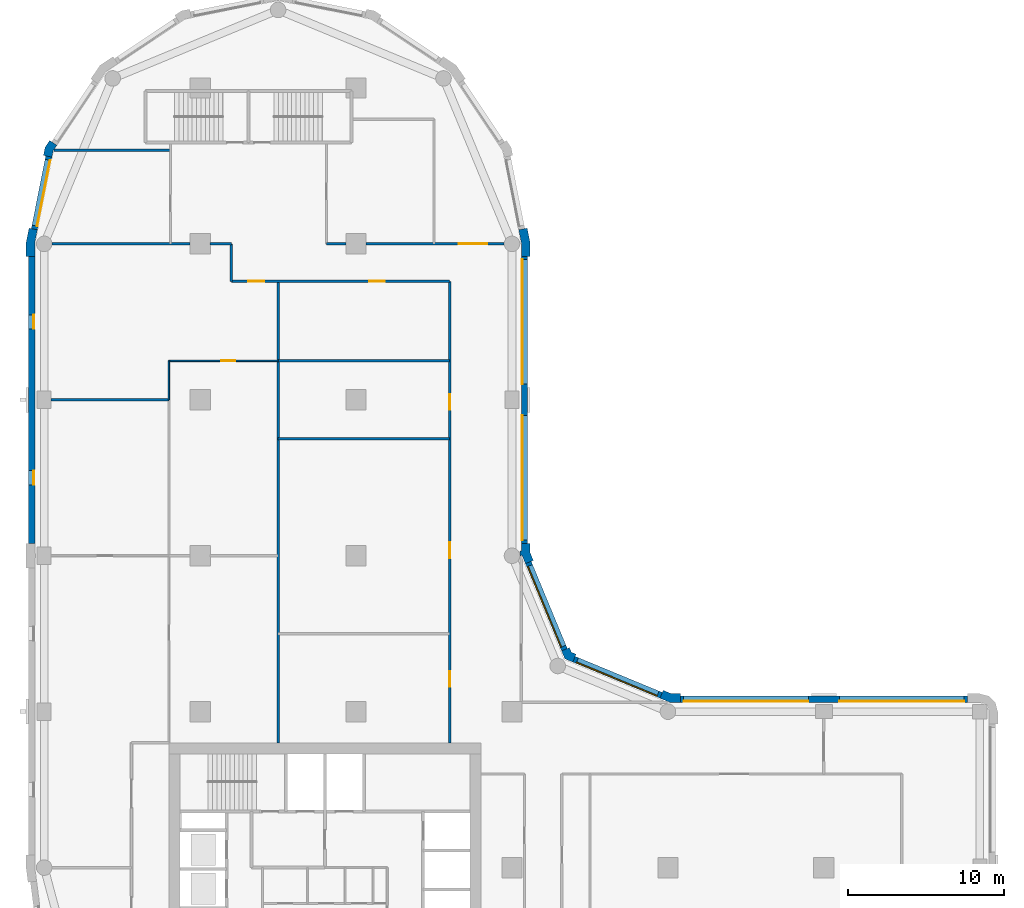
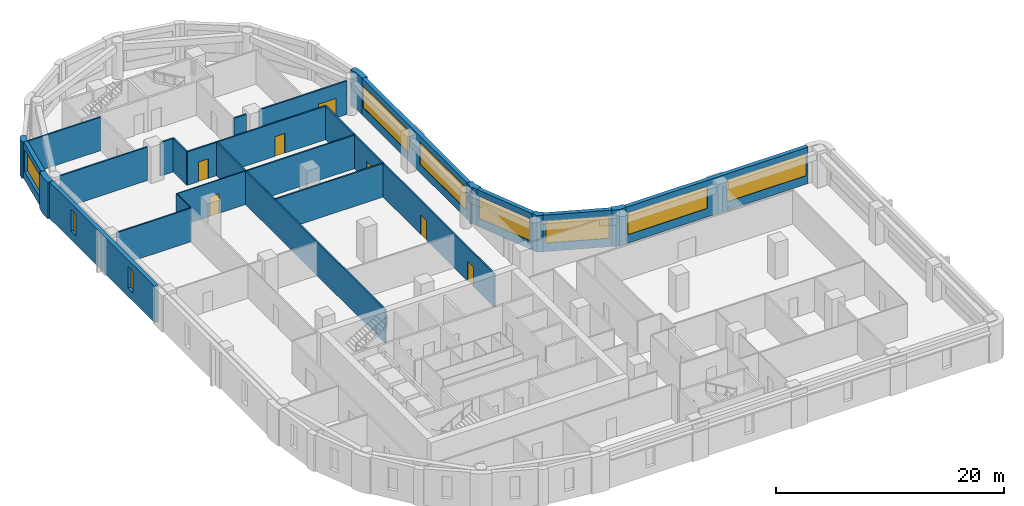
# One storey, part 6 of 10: 26 walls, 9 windows, 7 doors, 16 openings.
"""IFC4 building model written with IfcOpenShell, lengths in metres."""

from ifc_helpers import new_model, si_unit, direction, frame, frame_2d, origin, place, context, subcontext, project, spatial, polyline, rectangle, outline, extrude, material, layer, layer_set, type_object, element, fill, save


model = new_model("IFC4")

# Units and contexts
model_context = context("Model", 3, precision=1e-05, world=origin(), true_north=direction((0.0, 1.0)))
body_context = subcontext(model_context, "Body", "Model", "MODEL_VIEW")
ifc_project = project(units=[si_unit("LENGTHUNIT", "METRE"), si_unit("AREAUNIT", "SQUARE_METRE"), si_unit("VOLUMEUNIT", "CUBIC_METRE"), si_unit("PLANEANGLEUNIT", "RADIAN"), si_unit("MASSUNIT", "GRAM", prefix="KILO")], contexts=[model_context])

# Site, building, storey
site_placement = place(None, origin())
site = spatial("IfcSite", under=ifc_project, at=site_placement, CompositionType="ELEMENT")
building_placement = place(site_placement, origin())
building = spatial("IfcBuilding", under=site, at=building_placement, Name="Qaws Garden Tower", CompositionType="ELEMENT")
storey_placement = place(building_placement, frame((0.0, 0.0, 205.800048828125)))
storey = spatial("IfcBuildingStorey", under=building, at=storey_placement, Name="L50", CompositionType="ELEMENT", Elevation=205.800048828125)

# Wall, openings, windows
ifc_material_1 = material(Name="Buff clay facing brick masonry", Category="masonry")
ifc_layer_1 = layer(ifc_material_1, 0.39990234375)
ifc_layer_set_1 = layer_set([ifc_layer_1], Name="Buff clay facing brick masonry")
wall_type_1 = type_object("IfcWallType", Name="Buff brick infill wall 400", PredefinedType="SOLIDWALL", material=ifc_layer_set_1)
wall_1_placement = place(storey_placement, frame((59.199951171875, 30.800048828125, 0.0), z_axis=(0.0, 0.0, 1.0), x_axis=(-1.0, 0.0, 0.0)))
wall_1 = element("IfcWall", 1, at=wall_1_placement, inside=storey, type_object=wall_type_1, Name="E-L50-infill-07", PredefinedType="SOLIDWALL", context=body_context, shape_type="SweptSolid", body=[
    extrude(rectangle(XDim=18.39990234375, YDim=0.39990234375, at=frame_2d((9.199951171875, 0.0))), origin(), (0.0, 0.0, 1.0), 3.89990234375),
])
opening_1_placement = place(wall_1_placement, frame((0.199951171875, 0.0, 0.89990234375)))
opening_1 = element("IfcOpeningElement", 2, at=opening_1_placement, cuts=wall_1, Name="Opening W01", PredefinedType="OPENING", context=body_context, shape_type="SweptSolid", body=[
    extrude(rectangle(XDim=8.0, YDim=2.35009765625, at=frame_2d((4.0, 1.175048828125))), frame((0.0, 0.2099609375, 0.0), z_axis=(0.0, -1.0, 0.0), x_axis=(1.0, 0.0, 0.0)), (0.0, 0.0, 1.0), 0.419921875),
])
opening_2_placement = place(wall_1_placement, frame((10.199951171875, 0.0, 0.89990234375)))
opening_2 = element("IfcOpeningElement", 3, at=opening_2_placement, cuts=wall_1, Name="Opening W01", PredefinedType="OPENING", context=body_context, shape_type="SweptSolid", body=[
    extrude(rectangle(XDim=8.0, YDim=2.35009765625, at=frame_2d((4.0, 1.175048828125))), frame((0.0, 0.2099609375, 0.0), z_axis=(0.0, -1.0, 0.0), x_axis=(1.0, 0.0, 0.0)), (0.0, 0.0, 1.0), 0.419921875),
])
ifc_material_2 = material(Name="Aluminium framed window, clear glazing", Category="aluminium")
window_type_1 = type_object("IfcWindowType", Name="Ribbon window 8000 x 2350", PartitioningType="DOUBLE_PANEL_VERTICAL", PredefinedType="WINDOW", material=ifc_material_2)
window_1_placement = place(opening_1_placement, origin())
window_1 = element("IfcWindow", 4, at=window_1_placement, inside=storey, type_object=window_type_1, Name="E-L50-window-07-0", OverallHeight=2.35009765625, OverallWidth=8.0, PartitioningType="SINGLE_PANEL", PredefinedType="WINDOW", context=body_context, shape_type="SweptSolid", body=[
    extrude(rectangle(XDim=8.0, YDim=2.35009765625, at=frame_2d((4.0, 1.175048828125))), frame((0.0, 0.159912109375, 0.0), z_axis=(0.0, -1.0, 0.0), x_axis=(1.0, 0.0, 0.0)), (0.0, 0.0, 1.0), 0.06005859375),
])
fill(opening_1, window_1)
window_2_placement = place(opening_2_placement, origin())
window_2 = element("IfcWindow", 5, at=window_2_placement, inside=storey, type_object=window_type_1, Name="E-L50-window-08-0", OverallHeight=2.35009765625, OverallWidth=8.0, PartitioningType="SINGLE_PANEL", PredefinedType="WINDOW", context=body_context, shape_type="SweptSolid", body=[
    extrude(rectangle(XDim=8.0, YDim=2.35009765625, at=frame_2d((4.0, 1.175048828125))), frame((0.0, 0.159912109375, 0.0), z_axis=(0.0, -1.0, 0.0), x_axis=(1.0, 0.0, 0.0)), (0.0, 0.0, 1.0), 0.06005859375),
])
fill(opening_2, window_2)

# Wall, opening, window
wall_2_placement = place(storey_placement, frame((39.56689453125, 31.04541015625, 0.0), z_axis=(0.0, 0.0, 1.0), x_axis=(-0.923891000409, 0.382655745237, 0.0)))
wall_2 = element("IfcWall", 6, at=wall_2_placement, inside=storey, type_object=wall_type_1, Name="E-L50-infill-09", PredefinedType="SOLIDWALL", context=body_context, shape_type="SweptSolid", body=[
    extrude(rectangle(XDim=6.053466796875, YDim=0.39990234375, at=frame_2d((3.02685546875, 0.0))), origin(), (0.0, 0.0, 1.0), 3.89990234375),
])
opening_3_placement = place(wall_2_placement, frame((0.226806640625, 0.0, 0.89990234375)))
opening_3 = element("IfcOpeningElement", 7, at=opening_3_placement, cuts=wall_2, Name="Opening W04", PredefinedType="OPENING", context=body_context, shape_type="SweptSolid", body=[
    extrude(rectangle(XDim=5.60009765625, YDim=2.35009765625, at=frame_2d((2.800048828125, 1.175048828125))), frame((0.0, 0.2099609375, 0.0), z_axis=(0.0, -1.0, 0.0), x_axis=(1.0, 0.0, 0.0)), (0.0, 0.0, 1.0), 0.419921875),
])
ifc_material_3 = material(Name="Aluminium framed window, clear glazing", Category="aluminium")
window_type_2 = type_object("IfcWindowType", Name="Ribbon window 5600 x 2350", PartitioningType="DOUBLE_PANEL_VERTICAL", PredefinedType="WINDOW", material=ifc_material_3)
window_3_placement = place(opening_3_placement, origin())
window_3 = element("IfcWindow", 8, at=window_3_placement, inside=storey, type_object=window_type_2, Name="E-L50-window-09-0", OverallHeight=2.35009765625, OverallWidth=5.60009765625, PartitioningType="SINGLE_PANEL", PredefinedType="WINDOW", context=body_context, shape_type="SweptSolid", body=[
    extrude(rectangle(XDim=5.60009765625, YDim=2.35009765625, at=frame_2d((2.800048828125, 1.175048828125))), frame((0.0, 0.159912109375, 0.0), z_axis=(0.0, -1.0, 0.0), x_axis=(1.0, 0.0, 0.0)), (0.0, 0.0, 1.0), 0.06005859375),
])
fill(opening_3, window_3)

wall_3_placement = place(storey_placement, frame((33.36181640625, 33.97412109375, 0.0), z_axis=(0.0, 0.0, 1.0), x_axis=(-0.382655745237, 0.923891000409, 0.0)))
wall_3 = element("IfcWall", 9, at=wall_3_placement, inside=storey, type_object=wall_type_1, Name="E-L50-infill-10", PredefinedType="SOLIDWALL", context=body_context, shape_type="SweptSolid", body=[
    extrude(rectangle(XDim=6.053466796875, YDim=0.39990234375, at=frame_2d((3.02685546875, 0.0))), origin(), (0.0, 0.0, 1.0), 3.89990234375),
])
opening_4_placement = place(wall_3_placement, frame((0.226806640625, 0.0, 0.89990234375)))
opening_4 = element("IfcOpeningElement", 10, at=opening_4_placement, cuts=wall_3, Name="Opening W04", PredefinedType="OPENING", context=body_context, shape_type="SweptSolid", body=[
    extrude(rectangle(XDim=5.60009765625, YDim=2.35009765625, at=frame_2d((2.800048828125, 1.175048828125))), frame((0.0, 0.2099609375, 0.0), z_axis=(0.0, -1.0, 0.0), x_axis=(1.0, 0.0, 0.0)), (0.0, 0.0, 1.0), 0.419921875),
])
window_4_placement = place(opening_4_placement, origin())
window_4 = element("IfcWindow", 11, at=window_4_placement, inside=storey, type_object=window_type_2, Name="E-L50-window-10-0", OverallHeight=2.35009765625, OverallWidth=5.60009765625, PartitioningType="SINGLE_PANEL", PredefinedType="WINDOW", context=body_context, shape_type="SweptSolid", body=[
    extrude(rectangle(XDim=5.60009765625, YDim=2.35009765625, at=frame_2d((2.800048828125, 1.175048828125))), frame((0.0, 0.159912109375, 0.0), z_axis=(0.0, -1.0, 0.0), x_axis=(1.0, 0.0, 0.0)), (0.0, 0.0, 1.0), 0.06005859375),
])
fill(opening_4, window_4)

# Wall, openings, windows
wall_4_placement = place(storey_placement, frame((30.800048828125, 40.800048828125, 0.0), z_axis=(0.0, 0.0, 1.0), x_axis=(0.0, 1.0, 0.0)))
wall_4 = element("IfcWall", 12, at=wall_4_placement, inside=storey, type_object=wall_type_1, Name="E-L50-infill-11", PredefinedType="SOLIDWALL", context=body_context, shape_type="SweptSolid", body=[
    extrude(rectangle(XDim=18.39990234375, YDim=0.39990234375, at=frame_2d((9.199951171875, 0.0))), origin(), (0.0, 0.0, 1.0), 3.89990234375),
])
opening_5_placement = place(wall_4_placement, frame((0.199951171875, 0.0, 0.89990234375)))
opening_5 = element("IfcOpeningElement", 13, at=opening_5_placement, cuts=wall_4, Name="Opening W01", PredefinedType="OPENING", context=body_context, shape_type="SweptSolid", body=[
    extrude(rectangle(XDim=8.0, YDim=2.35009765625, at=frame_2d((4.0, 1.175048828125))), frame((0.0, 0.2099609375, 0.0), z_axis=(0.0, -1.0, 0.0), x_axis=(1.0, 0.0, 0.0)), (0.0, 0.0, 1.0), 0.419921875),
])
opening_6_placement = place(wall_4_placement, frame((10.199951171875, 0.0, 0.89990234375)))
opening_6 = element("IfcOpeningElement", 14, at=opening_6_placement, cuts=wall_4, Name="Opening W01", PredefinedType="OPENING", context=body_context, shape_type="SweptSolid", body=[
    extrude(rectangle(XDim=8.0, YDim=2.35009765625, at=frame_2d((4.0, 1.175048828125))), frame((0.0, 0.2099609375, 0.0), z_axis=(0.0, -1.0, 0.0), x_axis=(1.0, 0.0, 0.0)), (0.0, 0.0, 1.0), 0.419921875),
])
window_5_placement = place(opening_5_placement, origin())
window_5 = element("IfcWindow", 15, at=window_5_placement, inside=storey, type_object=window_type_1, Name="E-L50-window-11-0", OverallHeight=2.35009765625, OverallWidth=8.0, PartitioningType="SINGLE_PANEL", PredefinedType="WINDOW", context=body_context, shape_type="SweptSolid", body=[
    extrude(rectangle(XDim=8.0, YDim=2.35009765625, at=frame_2d((4.0, 1.175048828125))), frame((0.0, 0.159912109375, 0.0), z_axis=(0.0, -1.0, 0.0), x_axis=(1.0, 0.0, 0.0)), (0.0, 0.0, 1.0), 0.06005859375),
])
fill(opening_5, window_5)
window_6_placement = place(opening_6_placement, origin())
window_6 = element("IfcWindow", 16, at=window_6_placement, inside=storey, type_object=window_type_1, Name="E-L50-window-12-0", OverallHeight=2.35009765625, OverallWidth=8.0, PartitioningType="SINGLE_PANEL", PredefinedType="WINDOW", context=body_context, shape_type="SweptSolid", body=[
    extrude(rectangle(XDim=8.0, YDim=2.35009765625, at=frame_2d((4.0, 1.175048828125))), frame((0.0, 0.159912109375, 0.0), z_axis=(0.0, -1.0, 0.0), x_axis=(1.0, 0.0, 0.0)), (0.0, 0.0, 1.0), 0.06005859375),
])
fill(opening_6, window_6)

# Wall, opening, window
wall_5_placement = place(storey_placement, frame((0.298583984375, 65.60205078125, 0.0), z_axis=(0.0, 0.0, 1.0), x_axis=(-0.195098533057, -0.98078364709, 0.0)))
wall_5 = element("IfcWall", 17, at=wall_5_placement, inside=storey, type_object=wall_type_1, Name="E-L50-infill-20", PredefinedType="SOLIDWALL", context=body_context, shape_type="SweptSolid", body=[
    extrude(rectangle(XDim=4.752685546875, YDim=0.39990234375, at=frame_2d((2.37646484375, 0.0))), origin(), (0.0, 0.0, 1.0), 3.89990234375),
])
opening_7_placement = place(wall_5_placement, frame((0.226318359375, 0.0, 0.89990234375)))
opening_7 = element("IfcOpeningElement", 18, at=opening_7_placement, cuts=wall_5, Name="Opening W06", PredefinedType="OPENING", context=body_context, shape_type="SweptSolid", body=[
    extrude(rectangle(XDim=4.300048828125, YDim=2.35009765625, at=frame_2d((2.14990234375, 1.175048828125))), frame((0.0, 0.2099609375, 0.0), z_axis=(0.0, -1.0, 0.0), x_axis=(1.0, 0.0, 0.0)), (0.0, 0.0, 1.0), 0.419921875),
])
ifc_material_4 = material(Name="Aluminium framed window, clear glazing", Category="aluminium")
window_type_3 = type_object("IfcWindowType", Name="Ribbon window 4300 x 2350", PartitioningType="DOUBLE_PANEL_VERTICAL", PredefinedType="WINDOW", material=ifc_material_4)
window_7_placement = place(opening_7_placement, origin())
window_7 = element("IfcWindow", 19, at=window_7_placement, inside=storey, type_object=window_type_3, Name="E-L50-window-20-0", OverallHeight=2.35009765625, OverallWidth=4.300048828125, PartitioningType="SINGLE_PANEL", PredefinedType="WINDOW", context=body_context, shape_type="SweptSolid", body=[
    extrude(rectangle(XDim=4.300048828125, YDim=2.35009765625, at=frame_2d((2.14990234375, 1.175048828125))), frame((0.0, 0.159912109375, 0.0), z_axis=(0.0, -1.0, 0.0), x_axis=(1.0, 0.0, 0.0)), (0.0, 0.0, 1.0), 0.06005859375),
])
fill(opening_7, window_7)

# Wall, openings, windows
wall_6_placement = place(storey_placement, frame((-0.800048828125, 59.199951171875, 0.0), z_axis=(0.0, 0.0, 1.0), x_axis=(0.0, -1.0, 0.0)))
wall_6 = element("IfcWall", 20, at=wall_6_placement, inside=storey, type_object=wall_type_1, Name="E-L50-infill-21", PredefinedType="SOLIDWALL", context=body_context, shape_type="SweptSolid", body=[
    extrude(rectangle(XDim=18.39990234375, YDim=0.39990234375, at=frame_2d((9.199951171875, 0.0))), origin(), (0.0, 0.0, 1.0), 3.89990234375),
])
opening_8_placement = place(wall_6_placement, frame((3.75, 0.0, 0.89990234375)))
opening_8 = element("IfcOpeningElement", 21, at=opening_8_placement, cuts=wall_6, Name="Opening W09", PredefinedType="OPENING", context=body_context, shape_type="SweptSolid", body=[
    extrude(rectangle(XDim=0.89990234375, YDim=2.35009765625, at=frame_2d((0.449951171875, 1.175048828125))), frame((0.0, 0.2099609375, 0.0), z_axis=(0.0, -1.0, 0.0), x_axis=(1.0, 0.0, 0.0)), (0.0, 0.0, 1.0), 0.419921875),
])
opening_9_placement = place(wall_6_placement, frame((13.75, 0.0, 0.89990234375)))
opening_9 = element("IfcOpeningElement", 22, at=opening_9_placement, cuts=wall_6, Name="Opening W09", PredefinedType="OPENING", context=body_context, shape_type="SweptSolid", body=[
    extrude(rectangle(XDim=0.89990234375, YDim=2.35009765625, at=frame_2d((0.449951171875, 1.175048828125))), frame((0.0, 0.2099609375, 0.0), z_axis=(0.0, -1.0, 0.0), x_axis=(1.0, 0.0, 0.0)), (0.0, 0.0, 1.0), 0.419921875),
])
ifc_material_5 = material(Name="Aluminium framed window, clear glazing", Category="aluminium")
window_type_4 = type_object("IfcWindowType", Name="Slit window 900 x 2350", PartitioningType="SINGLE_PANEL", PredefinedType="WINDOW", material=ifc_material_5)
window_8_placement = place(opening_8_placement, origin())
window_8 = element("IfcWindow", 23, at=window_8_placement, inside=storey, type_object=window_type_4, Name="E-L50-window-21-0", OverallHeight=2.35009765625, OverallWidth=0.89990234375, PartitioningType="SINGLE_PANEL", PredefinedType="WINDOW", context=body_context, shape_type="SweptSolid", body=[
    extrude(rectangle(XDim=0.89990234375, YDim=2.35009765625, at=frame_2d((0.449951171875, 1.175048828125))), frame((0.0, 0.159912109375, 0.0), z_axis=(0.0, -1.0, 0.0), x_axis=(1.0, 0.0, 0.0)), (0.0, 0.0, 1.0), 0.06005859375),
])
fill(opening_8, window_8)
window_9_placement = place(opening_9_placement, origin())
window_9 = element("IfcWindow", 24, at=window_9_placement, inside=storey, type_object=window_type_4, Name="E-L50-window-22-0", OverallHeight=2.35009765625, OverallWidth=0.89990234375, PartitioningType="SINGLE_PANEL", PredefinedType="WINDOW", context=body_context, shape_type="SweptSolid", body=[
    extrude(rectangle(XDim=0.89990234375, YDim=2.35009765625, at=frame_2d((0.449951171875, 1.175048828125))), frame((0.0, 0.159912109375, 0.0), z_axis=(0.0, -1.0, 0.0), x_axis=(1.0, 0.0, 0.0)), (0.0, 0.0, 1.0), 0.06005859375),
])
fill(opening_9, window_9)

# Walls
ifc_material_6 = material(Name="Buff clay facing brick masonry", Category="masonry")
ifc_layer_2 = layer(ifc_material_6, 0.550048828125)
ifc_layer_set_2 = layer_set([ifc_layer_2], Name="Buff clay facing brick masonry")
wall_type_2 = type_object("IfcWallType", Name="Buff brick kink pier 550 x 600", PredefinedType="SOLIDWALL", material=ifc_layer_set_2)
placement = place(storey_placement, origin())
element("IfcWall", 25, at=placement, inside=storey, type_object=wall_type_2, Name="E-L50-pier-20", PredefinedType="SOLIDWALL", context=body_context, shape_type="SweptSolid", body=[
    extrude(outline(polyline([(0.47705078125, 66.545166015625), (0.352294921875, 66.628662109375), (0.05859375, 66.18896484375), (-0.044677734375, 65.67041015625), (0.1025390625, 65.64111328125), (0.494873046875, 65.56298828125), (0.57666015625, 65.974365234375), (0.8095703125, 66.322998046875), (0.47705078125, 66.545166015625)])), origin(), (0.0, 0.0, 1.0), 3.89990234375),
])
ifc_material_7 = material(Name="Buff clay facing brick masonry", Category="masonry")
ifc_layer_3 = layer(ifc_material_7, 0.550048828125)
ifc_layer_set_3 = layer_set([ifc_layer_3], Name="Buff clay facing brick masonry")
wall_type_3 = type_object("IfcWallType", Name="Buff brick pier 550 x 1600", PredefinedType="SOLIDWALL", material=ifc_layer_set_3)
element("IfcWall", 26, at=placement, inside=storey, type_object=wall_type_3, Name="E-L50-pier-09", PredefinedType="SOLIDWALL", context=body_context, shape_type="SweptSolid", body=[
    extrude(outline(polyline([(40.800048828125, 31.0), (40.800048828125, 31.14990234375), (40.228759765625, 31.14990234375), (39.700927734375, 31.36865234375), (39.6435546875, 31.22998046875), (39.490478515625, 30.860595703125), (40.119384765625, 30.60009765625), (40.800048828125, 30.60009765625), (40.800048828125, 31.0)])), origin(), (0.0, 0.0, 1.0), 3.89990234375),
])
element("IfcWall", 27, at=placement, inside=storey, type_object=wall_type_3, Name="E-L50-pier-10", PredefinedType="SOLIDWALL", context=body_context, shape_type="SweptSolid", body=[
    extrude(outline(polyline([(34.05078125, 33.546630859375), (34.108154296875, 33.685302734375), (33.80908203125, 33.80908203125), (33.685302734375, 34.108154296875), (33.546630859375, 34.05078125), (33.177001953125, 33.897705078125), (33.38818359375, 33.38818359375), (33.897705078125, 33.177001953125), (34.05078125, 33.546630859375)])), origin(), (0.0, 0.0, 1.0), 3.89990234375),
])
element("IfcWall", 28, at=placement, inside=storey, type_object=wall_type_3, Name="E-L50-pier-11", PredefinedType="SOLIDWALL", context=body_context, shape_type="SweptSolid", body=[
    extrude(outline(polyline([(30.6201171875, 39.995361328125), (30.6201171875, 40.071044921875), (30.860595703125, 39.490478515625), (31.22998046875, 39.6435546875), (31.36865234375, 39.700927734375), (31.14990234375, 40.228759765625), (31.14990234375, 40.800048828125), (31.0, 40.800048828125), (30.60009765625, 40.800048828125), (30.60009765625, 40.29541015625), (30.5, 40.29541015625), (30.5, 39.995361328125), (30.6201171875, 39.995361328125)])), origin(), (0.0, 0.0, 1.0), 3.89990234375),
])
element("IfcWall", 29, at=placement, inside=storey, type_object=wall_type_3, Name="E-L50-pier-13", PredefinedType="SOLIDWALL", context=body_context, shape_type="SweptSolid", body=[
    extrude(outline(polyline([(31.0, 59.199951171875), (31.14990234375, 59.199951171875), (31.14990234375, 60.11328125), (30.971923828125, 61.009033203125), (30.82470703125, 60.979736328125), (30.432373046875, 60.901611328125), (30.60009765625, 60.05908203125), (30.60009765625, 59.199951171875), (31.0, 59.199951171875)])), origin(), (0.0, 0.0, 1.0), 3.89990234375),
])
element("IfcWall", 30, at=placement, inside=storey, type_object=wall_type_3, Name="E-L50-pier-21", PredefinedType="SOLIDWALL", context=body_context, shape_type="SweptSolid", body=[
    extrude(outline(polyline([(-0.82470703125, 60.979736328125), (-0.971923828125, 61.009033203125), (-1.14990234375, 60.11328125), (-1.14990234375, 59.199951171875), (-1.0, 59.199951171875), (-0.60009765625, 59.199951171875), (-0.60009765625, 60.05908203125), (-0.432373046875, 60.901611328125), (-0.82470703125, 60.979736328125)])), origin(), (0.0, 0.0, 1.0), 3.89990234375),
])
ifc_material_8 = material(Name="Gypsum board partition")
ifc_layer_4 = layer(ifc_material_8, 0.10009765625)
ifc_layer_set_4 = layer_set([ifc_layer_4], Name="Gypsum board partition")
wall_type_4 = type_object("IfcWallType", Name="PARTITION 100", PredefinedType="PARTITIONING", material=ifc_layer_set_4)
wall_13_placement = place(storey_placement, frame((8.0, 50.0, 0.0), z_axis=(0.0, 0.0, 1.0), x_axis=(0.0, 1.0, 0.0)))
element("IfcWall", 31, at=wall_13_placement, inside=storey, type_object=wall_type_4, Name="O-L50-wall-002", PredefinedType="PARTITIONING", context=body_context, shape_type="SweptSolid", body=[
    extrude(rectangle(XDim=2.5, YDim=0.10009765625, at=frame_2d((1.25, 0.0))), origin(), (0.0, 0.0, 1.0), 3.579833984375),
])

# Wall, opening, door
wall_14_placement = place(storey_placement, frame((8.0, 52.5, 0.0), z_axis=(0.0, 0.0, 1.0), x_axis=(1.0, 0.0, 0.0)))
wall_14 = element("IfcWall", 32, at=wall_14_placement, inside=storey, type_object=wall_type_4, Name="O-L50-wall-009", PredefinedType="PARTITIONING", context=body_context, shape_type="SweptSolid", body=[
    extrude(rectangle(XDim=7.0, YDim=0.10009765625, at=frame_2d((3.5, 0.0))), origin(), (0.0, 0.0, 1.0), 3.579833984375),
])
opening_10_placement = place(wall_14_placement, frame((3.35009765625, 0.0, 0.0)))
opening_10 = element("IfcOpeningElement", 33, at=opening_10_placement, cuts=wall_14, Name="Opening B727", PredefinedType="OPENING", context=body_context, shape_type="SweptSolid", body=[
    extrude(rectangle(XDim=0.89990234375, YDim=2.10009765625, at=frame_2d((0.449951171875, 1.050048828125))), frame((0.0, 0.06005859375, 0.0), z_axis=(0.0, -1.0, 0.0), x_axis=(1.0, 0.0, 0.0)), (0.0, 0.0, 1.0), 0.1201171875),
])
ifc_material_9 = material(Name="Timber door leaf", Category="wood")
door_type_1 = type_object("IfcDoorType", Name="OFFICE DOOR 900 X 2100", OperationType="SINGLE_SWING_LEFT", PredefinedType="DOOR", material=ifc_material_9)
door_1_placement = place(opening_10_placement, frame((0.89990234375, 0.0, 0.0), z_axis=(0.0, 0.0, 1.0), x_axis=(-1.0, 0.0, 0.0)))
door_1 = element("IfcDoor", 34, at=door_1_placement, inside=storey, type_object=door_type_1, Name="O-L50-door-027", OperationType="SINGLE_SWING_LEFT", OverallHeight=2.10009765625, OverallWidth=0.89990234375, PredefinedType="DOOR", context=body_context, shape_type="SweptSolid", body=[
    extrude(rectangle(XDim=0.89990234375, YDim=2.10009765625, at=frame_2d((0.449951171875, 1.050048828125))), frame((0.0, 0.02490234375, 0.0), z_axis=(0.0, -1.0, 0.0), x_axis=(1.0, 0.0, 0.0)), (0.0, 0.0, 1.0), 0.050048828125),
])
fill(opening_10, door_1)

# Walls
ifc_material_10 = material(Name="Gypsum board partition")
ifc_layer_5 = layer(ifc_material_10, 0.14990234375)
ifc_layer_set_5 = layer_set([ifc_layer_5], Name="Gypsum board partition")
wall_type_5 = type_object("IfcWallType", Name="PARTITION 150 EI 60", PredefinedType="PARTITIONING", material=ifc_layer_set_5)
wall_15_placement = place(storey_placement, frame((12.0, 57.60009765625, 0.0), z_axis=(0.0, 0.0, 1.0), x_axis=(0.0, 1.0, 0.0)))
element("IfcWall", 35, at=wall_15_placement, inside=storey, type_object=wall_type_5, Name="O-L50-wall-013", PredefinedType="PARTITIONING", context=body_context, shape_type="SweptSolid", body=[
    extrude(rectangle(XDim=2.39990234375, YDim=0.14990234375, at=frame_2d((1.199951171875, 0.0))), origin(), (0.0, 0.0, 1.0), 3.579833984375),
])
wall_16_placement = place(storey_placement, frame((15.0, 28.0, 0.0), z_axis=(0.0, 0.0, 1.0), x_axis=(0.0, 1.0, 0.0)))
element("IfcWall", 36, at=wall_16_placement, inside=storey, type_object=wall_type_5, Name="O-L50-wall-015", PredefinedType="PARTITIONING", context=body_context, shape_type="SweptSolid", body=[
    extrude(rectangle(XDim=29.60009765625, YDim=0.14990234375, at=frame_2d((14.800048828125, 0.0))), origin(), (0.0, 0.0, 1.0), 3.579833984375),
])

# Wall, openings, doors
wall_17_placement = place(storey_placement, frame((26.0, 28.0, 0.0), z_axis=(0.0, 0.0, 1.0), x_axis=(0.0, 1.0, 0.0)))
wall_17 = element("IfcWall", 37, at=wall_17_placement, inside=storey, type_object=wall_type_5, Name="O-L50-wall-019", PredefinedType="PARTITIONING", context=body_context, shape_type="SweptSolid", body=[
    extrude(rectangle(XDim=29.60009765625, YDim=0.14990234375, at=frame_2d((14.800048828125, 0.0))), origin(), (0.0, 0.0, 1.0), 3.579833984375),
])
opening_11_placement = place(wall_17_placement, frame((3.60009765625, 0.0, 0.0)))
opening_11 = element("IfcOpeningElement", 38, at=opening_11_placement, cuts=wall_17, Name="Opening B705", PredefinedType="OPENING", context=body_context, shape_type="SweptSolid", body=[
    extrude(rectangle(XDim=1.0, YDim=2.10009765625, at=frame_2d((0.5, 1.050048828125))), frame((0.0, 0.0849609375, 0.0), z_axis=(0.0, -1.0, 0.0), x_axis=(1.0, 0.0, 0.0)), (0.0, 0.0, 1.0), 0.169921875),
])
opening_12_placement = place(wall_17_placement, frame((11.85009765625, 0.0, 0.0)))
opening_12 = element("IfcOpeningElement", 39, at=opening_12_placement, cuts=wall_17, Name="Opening B706", PredefinedType="OPENING", context=body_context, shape_type="SweptSolid", body=[
    extrude(rectangle(XDim=1.0, YDim=2.10009765625, at=frame_2d((0.5, 1.050048828125))), frame((0.0, 0.0849609375, 0.0), z_axis=(0.0, -1.0, 0.0), x_axis=(1.0, 0.0, 0.0)), (0.0, 0.0, 1.0), 0.169921875),
])
opening_13_placement = place(wall_17_placement, frame((21.35009765625, 0.0, 0.0)))
opening_13 = element("IfcOpeningElement", 40, at=opening_13_placement, cuts=wall_17, Name="Opening B707", PredefinedType="OPENING", context=body_context, shape_type="SweptSolid", body=[
    extrude(rectangle(XDim=1.0, YDim=2.10009765625, at=frame_2d((0.5, 1.050048828125))), frame((0.0, 0.0849609375, 0.0), z_axis=(0.0, -1.0, 0.0), x_axis=(1.0, 0.0, 0.0)), (0.0, 0.0, 1.0), 0.169921875),
])
ifc_material_11 = material(Name="Timber door leaf", Category="wood")
door_type_2 = type_object("IfcDoorType", Name="TENANCY ENTRANCE DOOR 1000 X 2100", OperationType="SINGLE_SWING_LEFT", PredefinedType="DOOR", material=ifc_material_11)
door_2_placement = place(opening_11_placement, origin())
door_2 = element("IfcDoor", 41, at=door_2_placement, inside=storey, type_object=door_type_2, Name="O-L50-door-005", OperationType="SINGLE_SWING_RIGHT", OverallHeight=2.10009765625, OverallWidth=1.0, PredefinedType="DOOR", context=body_context, shape_type="SweptSolid", body=[
    extrude(rectangle(XDim=1.0, YDim=2.10009765625, at=frame_2d((0.5, 1.050048828125))), frame((0.0, 0.02490234375, 0.0), z_axis=(0.0, -1.0, 0.0), x_axis=(1.0, 0.0, 0.0)), (0.0, 0.0, 1.0), 0.050048828125),
])
fill(opening_11, door_2)
door_3_placement = place(opening_12_placement, origin())
door_3 = element("IfcDoor", 42, at=door_3_placement, inside=storey, type_object=door_type_2, Name="O-L50-door-006", OperationType="SINGLE_SWING_LEFT", OverallHeight=2.10009765625, OverallWidth=1.0, PredefinedType="DOOR", context=body_context, shape_type="SweptSolid", body=[
    extrude(rectangle(XDim=1.0, YDim=2.10009765625, at=frame_2d((0.5, 1.050048828125))), frame((0.0, 0.02490234375, 0.0), z_axis=(0.0, -1.0, 0.0), x_axis=(1.0, 0.0, 0.0)), (0.0, 0.0, 1.0), 0.050048828125),
])
fill(opening_12, door_3)
door_4_placement = place(opening_13_placement, origin())
door_4 = element("IfcDoor", 43, at=door_4_placement, inside=storey, type_object=door_type_2, Name="O-L50-door-007", OperationType="SINGLE_SWING_LEFT", OverallHeight=2.10009765625, OverallWidth=1.0, PredefinedType="DOOR", context=body_context, shape_type="SweptSolid", body=[
    extrude(rectangle(XDim=1.0, YDim=2.10009765625, at=frame_2d((0.5, 1.050048828125))), frame((0.0, 0.02490234375, 0.0), z_axis=(0.0, -1.0, 0.0), x_axis=(1.0, 0.0, 0.0)), (0.0, 0.0, 1.0), 0.050048828125),
])
fill(opening_13, door_4)

# Walls
wall_18_placement = place(storey_placement, frame((15.0, 47.5, 0.0), z_axis=(0.0, 0.0, 1.0), x_axis=(1.0, 0.0, 0.0)))
element("IfcWall", 44, at=wall_18_placement, inside=storey, type_object=wall_type_5, Name="O-L50-wall-053", PredefinedType="PARTITIONING", context=body_context, shape_type="SweptSolid", body=[
    extrude(rectangle(XDim=11.0, YDim=0.14990234375, at=frame_2d((5.5, 0.0))), origin(), (0.0, 0.0, 1.0), 3.579833984375),
])
wall_19_placement = place(storey_placement, frame((0.449951171875, 50.0, 0.0), z_axis=(0.0, 0.0, 1.0), x_axis=(1.0, 0.0, 0.0)))
element("IfcWall", 45, at=wall_19_placement, inside=storey, type_object=wall_type_5, Name="O-L50-wall-054", PredefinedType="PARTITIONING", context=body_context, shape_type="SweptSolid", body=[
    extrude(rectangle(XDim=7.550048828125, YDim=0.14990234375, at=frame_2d((3.77490234375, 0.0))), origin(), (0.0, 0.0, 1.0), 3.579833984375),
])
wall_20_placement = place(storey_placement, frame((15.0, 52.5, 0.0), z_axis=(0.0, 0.0, 1.0), x_axis=(1.0, 0.0, 0.0)))
element("IfcWall", 46, at=wall_20_placement, inside=storey, type_object=wall_type_5, Name="O-L50-wall-055", PredefinedType="PARTITIONING", context=body_context, shape_type="SweptSolid", body=[
    extrude(rectangle(XDim=11.0, YDim=0.14990234375, at=frame_2d((5.5, 0.0))), origin(), (0.0, 0.0, 1.0), 3.579833984375),
])

# Wall, openings, doors
wall_21_placement = place(storey_placement, frame((12.0, 57.60009765625, 0.0), z_axis=(0.0, 0.0, 1.0), x_axis=(1.0, 0.0, 0.0)))
wall_21 = element("IfcWall", 47, at=wall_21_placement, inside=storey, type_object=wall_type_5, Name="O-L50-wall-056", PredefinedType="PARTITIONING", context=body_context, shape_type="SweptSolid", body=[
    extrude(rectangle(XDim=14.0, YDim=0.14990234375, at=frame_2d((7.0, 0.0))), origin(), (0.0, 0.0, 1.0), 3.579833984375),
])
opening_14_placement = place(wall_21_placement, frame((8.85009765625, 0.0, 0.0)))
opening_14 = element("IfcOpeningElement", 48, at=opening_14_placement, cuts=wall_21, Name="Opening B708", PredefinedType="OPENING", context=body_context, shape_type="SweptSolid", body=[
    extrude(rectangle(XDim=1.0, YDim=2.10009765625, at=frame_2d((0.5, 1.050048828125))), frame((0.0, 0.0849609375, 0.0), z_axis=(0.0, -1.0, 0.0), x_axis=(1.0, 0.0, 0.0)), (0.0, 0.0, 1.0), 0.169921875),
])
opening_15_placement = place(wall_21_placement, frame((1.10009765625, 0.0, 0.0)))
opening_15 = element("IfcOpeningElement", 49, at=opening_15_placement, cuts=wall_21, Name="Opening B710", PredefinedType="OPENING", context=body_context, shape_type="SweptSolid", body=[
    extrude(rectangle(XDim=1.0, YDim=2.10009765625, at=frame_2d((0.5, 1.050048828125))), frame((0.0, 0.0849609375, 0.0), z_axis=(0.0, -1.0, 0.0), x_axis=(1.0, 0.0, 0.0)), (0.0, 0.0, 1.0), 0.169921875),
])
door_5_placement = place(opening_14_placement, frame((1.0, 0.0, 0.0), z_axis=(0.0, 0.0, 1.0), x_axis=(-1.0, 0.0, 0.0)))
door_5 = element("IfcDoor", 50, at=door_5_placement, inside=storey, type_object=door_type_2, Name="O-L50-door-008", OperationType="SINGLE_SWING_LEFT", OverallHeight=2.10009765625, OverallWidth=1.0, PredefinedType="DOOR", context=body_context, shape_type="SweptSolid", body=[
    extrude(rectangle(XDim=1.0, YDim=2.10009765625, at=frame_2d((0.5, 1.050048828125))), frame((0.0, 0.02490234375, 0.0), z_axis=(0.0, -1.0, 0.0), x_axis=(1.0, 0.0, 0.0)), (0.0, 0.0, 1.0), 0.050048828125),
])
fill(opening_14, door_5)
door_6_placement = place(opening_15_placement, frame((1.0, 0.0, 0.0), z_axis=(0.0, 0.0, 1.0), x_axis=(-1.0, 0.0, 0.0)))
door_6 = element("IfcDoor", 51, at=door_6_placement, inside=storey, type_object=door_type_2, Name="O-L50-door-010", OperationType="SINGLE_SWING_LEFT", OverallHeight=2.10009765625, OverallWidth=1.0, PredefinedType="DOOR", context=body_context, shape_type="SweptSolid", body=[
    extrude(rectangle(XDim=1.0, YDim=2.10009765625, at=frame_2d((0.5, 1.050048828125))), frame((0.0, 0.02490234375, 0.0), z_axis=(0.0, -1.0, 0.0), x_axis=(1.0, 0.0, 0.0)), (0.0, 0.0, 1.0), 0.050048828125),
])
fill(opening_15, door_6)

# Walls
wall_22_placement = place(storey_placement, frame((0.5, 60.0, 0.0), z_axis=(0.0, 0.0, 1.0), x_axis=(1.0, 0.0, 0.0)))
element("IfcWall", 52, at=wall_22_placement, inside=storey, type_object=wall_type_5, Name="O-L50-wall-057", PredefinedType="PARTITIONING", context=body_context, shape_type="SweptSolid", body=[
    extrude(rectangle(XDim=8.85009765625, YDim=0.14990234375, at=frame_2d((4.425048828125, 0.0))), origin(), (0.0, 0.0, 1.0), 3.579833984375),
])
wall_23_placement = place(storey_placement, frame((10.64990234375, 60.0, 0.0), z_axis=(0.0, 0.0, 1.0), x_axis=(1.0, 0.0, 0.0)))
element("IfcWall", 53, at=wall_23_placement, inside=storey, type_object=wall_type_5, Name="O-L50-wall-058", PredefinedType="PARTITIONING", context=body_context, shape_type="SweptSolid", body=[
    extrude(rectangle(XDim=1.35009765625, YDim=0.14990234375, at=frame_2d((0.675048828125, 0.0))), origin(), (0.0, 0.0, 1.0), 3.579833984375),
])
wall_24_placement = place(storey_placement, frame((18.10009765625, 60.0, 0.0), z_axis=(0.0, 0.0, 1.0), x_axis=(1.0, 0.0, 0.0)))
element("IfcWall", 54, at=wall_24_placement, inside=storey, type_object=wall_type_5, Name="O-L50-wall-059", PredefinedType="PARTITIONING", context=body_context, shape_type="SweptSolid", body=[
    extrude(rectangle(XDim=1.25, YDim=0.14990234375, at=frame_2d((0.625, 0.0))), origin(), (0.0, 0.0, 1.0), 3.579833984375),
])

# Wall, opening, door
wall_25_placement = place(storey_placement, frame((20.64990234375, 60.0, 0.0), z_axis=(0.0, 0.0, 1.0), x_axis=(1.0, 0.0, 0.0)))
wall_25 = element("IfcWall", 55, at=wall_25_placement, inside=storey, type_object=wall_type_5, Name="O-L50-wall-060", PredefinedType="PARTITIONING", context=body_context, shape_type="SweptSolid", body=[
    extrude(rectangle(XDim=8.85009765625, YDim=0.14990234375, at=frame_2d((4.425048828125, 0.0))), origin(), (0.0, 0.0, 1.0), 3.579833984375),
])
opening_16_placement = place(wall_25_placement, frame((5.949951171875, 0.0, 0.0)))
opening_16 = element("IfcOpeningElement", 56, at=opening_16_placement, cuts=wall_25, Name="Opening B714", PredefinedType="OPENING", context=body_context, shape_type="SweptSolid", body=[
    extrude(rectangle(XDim=1.800048828125, YDim=2.10009765625, at=frame_2d((0.89990234375, 1.050048828125))), frame((0.0, 0.0849609375, 0.0), z_axis=(0.0, -1.0, 0.0), x_axis=(1.0, 0.0, 0.0)), (0.0, 0.0, 1.0), 0.169921875),
])
ifc_material_12 = material(Name="Timber door leaf", Category="wood")
door_type_3 = type_object("IfcDoorType", Name="DOUBLE DOOR 1800 X 2100", OperationType="DOUBLE_DOOR_SINGLE_SWING", PredefinedType="DOOR", material=ifc_material_12)
door_7_placement = place(opening_16_placement, origin())
door_7 = element("IfcDoor", 57, at=door_7_placement, inside=storey, type_object=door_type_3, Name="O-L50-door-014", OperationType="DOUBLE_DOOR_SINGLE_SWING", OverallHeight=2.10009765625, OverallWidth=1.800048828125, PredefinedType="DOOR", context=body_context, shape_type="SweptSolid", body=[
    extrude(rectangle(XDim=1.800048828125, YDim=2.10009765625, at=frame_2d((0.89990234375, 1.050048828125))), frame((0.0, 0.02490234375, 0.0), z_axis=(0.0, -1.0, 0.0), x_axis=(1.0, 0.0, 0.0)), (0.0, 0.0, 1.0), 0.050048828125),
])
fill(opening_16, door_7)

# Wall
wall_26_placement = place(storey_placement, frame((0.643798828125, 66.0, 0.0), z_axis=(0.0, 0.0, 1.0), x_axis=(1.0, 0.0, 0.0)))
element("IfcWall", 58, at=wall_26_placement, inside=storey, type_object=wall_type_5, Name="O-L50-wall-061", PredefinedType="PARTITIONING", context=body_context, shape_type="SweptSolid", body=[
    extrude(rectangle(XDim=7.456298828125, YDim=0.14990234375, at=frame_2d((3.72802734375, 0.0))), origin(), (0.0, 0.0, 1.0), 3.579833984375),
])

save(model, "model.ifc")
